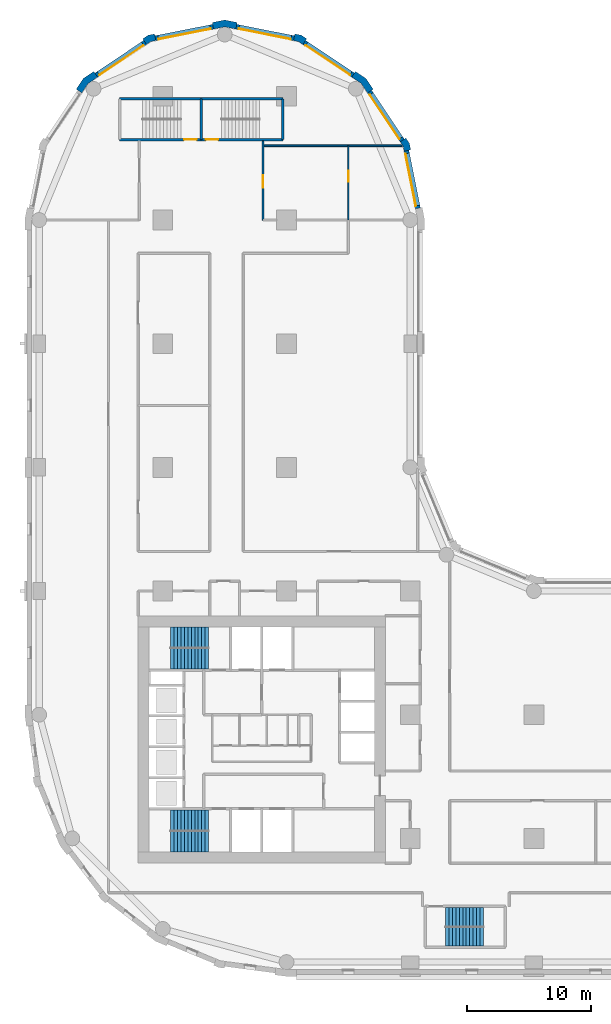
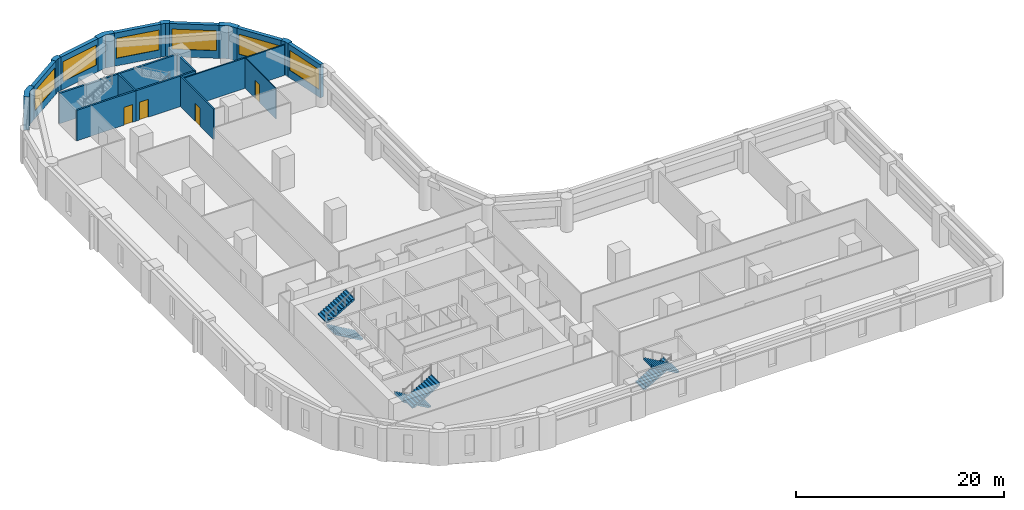
# One storey, part 7 of 10: 21 walls, 6 stair flights, 6 windows, 4 doors, 10 openings, 3 elements without a shape of their own.
"""IFC4 building model written with IfcOpenShell, lengths in metres."""

from ifc_helpers import new_model, si_unit, direction, frame, frame_2d, origin, place, context, subcontext, project, spatial, polyline, rectangle, outline, extrude, material, layer, layer_set, type_object, element, fill, aggregate, save


model = new_model("IFC4")

# Units and contexts
model_context = context("Model", 3, precision=1e-05, world=origin(), true_north=direction((0.0, 1.0)))
body_context = subcontext(model_context, "Body", "Model", "MODEL_VIEW")
ifc_project = project(units=[si_unit("LENGTHUNIT", "METRE"), si_unit("AREAUNIT", "SQUARE_METRE"), si_unit("VOLUMEUNIT", "CUBIC_METRE"), si_unit("PLANEANGLEUNIT", "RADIAN"), si_unit("MASSUNIT", "GRAM", prefix="KILO")], contexts=[model_context])

# Site, building, storey
site_placement = place(None, origin())
site = spatial("IfcSite", under=ifc_project, at=site_placement, CompositionType="ELEMENT")
building_placement = place(site_placement, origin())
building = spatial("IfcBuilding", under=site, at=building_placement, Name="Qaws Garden Tower", CompositionType="ELEMENT")
storey_placement = place(building_placement, frame((0.0, 0.0, 43.199951171875)))
storey = spatial("IfcBuildingStorey", under=building, at=storey_placement, Name="L10", CompositionType="ELEMENT", Elevation=43.199951171875)

# Wall, opening, window
ifc_material_1 = material(Name="Buff clay facing brick masonry", Category="masonry")
ifc_layer_1 = layer(ifc_material_1, 0.39990234375)
ifc_layer_set_1 = layer_set([ifc_layer_1], Name="Buff clay facing brick masonry")
wall_type_1 = type_object("IfcWallType", Name="Buff brick infill wall 400", PredefinedType="SOLIDWALL", material=ifc_layer_set_1)
wall_1_placement = place(storey_placement, frame((30.628662109375, 60.940673828125, 0.0), z_axis=(0.0, 0.0, 1.0), x_axis=(-0.195098533057, 0.98078364709, 0.0)))
wall_1 = element("IfcWall", 1, at=wall_1_placement, inside=storey, type_object=wall_type_1, Name="E-L10-infill-15", PredefinedType="SOLIDWALL", context=body_context, shape_type="SweptSolid", body=[
    extrude(rectangle(XDim=4.752685546875, YDim=0.39990234375, at=frame_2d((2.37646484375, 0.0))), origin(), (0.0, 0.0, 1.0), 3.900146484375),
])
opening_1_placement = place(wall_1_placement, frame((0.226318359375, 0.0, 0.89990234375)))
opening_1 = element("IfcOpeningElement", 2, at=opening_1_placement, cuts=wall_1, Name="Opening W06", PredefinedType="OPENING", context=body_context, shape_type="SweptSolid", body=[
    extrude(rectangle(XDim=4.300048828125, YDim=2.35009765625, at=frame_2d((2.14990234375, 1.175048828125))), frame((0.0, 0.2099609375, 0.0), z_axis=(0.0, -1.0, 0.0), x_axis=(1.0, 0.0, 0.0)), (0.0, 0.0, 1.0), 0.419921875),
])
ifc_material_2 = material(Name="Aluminium framed window, clear glazing", Category="aluminium")
window_type = type_object("IfcWindowType", Name="Ribbon window 4300 x 2350", PartitioningType="DOUBLE_PANEL_VERTICAL", PredefinedType="WINDOW", material=ifc_material_2)
window_1_placement = place(opening_1_placement, origin())
window_1 = element("IfcWindow", 3, at=window_1_placement, inside=storey, type_object=window_type, Name="E-L10-window-15-0", OverallHeight=2.35009765625, OverallWidth=4.300048828125, PartitioningType="SINGLE_PANEL", PredefinedType="WINDOW", context=body_context, shape_type="SweptSolid", body=[
    extrude(rectangle(XDim=4.300048828125, YDim=2.35009765625, at=frame_2d((2.14990234375, 1.175048828125))), frame((0.0, 0.159912109375, 0.0), z_axis=(0.0, -1.0, 0.0), x_axis=(1.0, 0.0, 0.0)), (0.0, 0.0, 1.0), 0.06005859375),
])
fill(opening_1, window_1)

wall_2_placement = place(storey_placement, frame((29.356689453125, 66.43408203125, 0.0), z_axis=(0.0, 0.0, 1.0), x_axis=(-0.555541552266, 0.831488775454, 0.0)))
wall_2 = element("IfcWall", 4, at=wall_2_placement, inside=storey, type_object=wall_type_1, Name="E-L10-infill-16", PredefinedType="SOLIDWALL", context=body_context, shape_type="SweptSolid", body=[
    extrude(rectangle(XDim=4.752685546875, YDim=0.39990234375, at=frame_2d((2.37646484375, 0.0))), origin(), (0.0, 0.0, 1.0), 3.900146484375),
])
opening_2_placement = place(wall_2_placement, frame((0.226318359375, 0.0, 0.89990234375)))
opening_2 = element("IfcOpeningElement", 5, at=opening_2_placement, cuts=wall_2, Name="Opening W06", PredefinedType="OPENING", context=body_context, shape_type="SweptSolid", body=[
    extrude(rectangle(XDim=4.300048828125, YDim=2.35009765625, at=frame_2d((2.14990234375, 1.175048828125))), frame((0.0, 0.2099609375, 0.0), z_axis=(0.0, -1.0, 0.0), x_axis=(1.0, 0.0, 0.0)), (0.0, 0.0, 1.0), 0.419921875),
])
window_2_placement = place(opening_2_placement, origin())
window_2 = element("IfcWindow", 6, at=window_2_placement, inside=storey, type_object=window_type, Name="E-L10-window-16-0", OverallHeight=2.35009765625, OverallWidth=4.300048828125, PartitioningType="SINGLE_PANEL", PredefinedType="WINDOW", context=body_context, shape_type="SweptSolid", body=[
    extrude(rectangle(XDim=4.300048828125, YDim=2.35009765625, at=frame_2d((2.14990234375, 1.175048828125))), frame((0.0, 0.159912109375, 0.0), z_axis=(0.0, -1.0, 0.0), x_axis=(1.0, 0.0, 0.0)), (0.0, 0.0, 1.0), 0.06005859375),
])
fill(opening_2, window_2)

wall_3_placement = place(storey_placement, frame((25.385986328125, 71.71630859375, 0.0), z_axis=(0.0, 0.0, 1.0), x_axis=(-0.831488775454, 0.555541552266, 0.0)))
wall_3 = element("IfcWall", 7, at=wall_3_placement, inside=storey, type_object=wall_type_1, Name="E-L10-infill-17", PredefinedType="SOLIDWALL", context=body_context, shape_type="SweptSolid", body=[
    extrude(rectangle(XDim=4.752685546875, YDim=0.39990234375, at=frame_2d((2.37646484375, 0.0))), origin(), (0.0, 0.0, 1.0), 3.900146484375),
])
opening_3_placement = place(wall_3_placement, frame((0.226318359375, 0.0, 0.89990234375)))
opening_3 = element("IfcOpeningElement", 8, at=opening_3_placement, cuts=wall_3, Name="Opening W06", PredefinedType="OPENING", context=body_context, shape_type="SweptSolid", body=[
    extrude(rectangle(XDim=4.300048828125, YDim=2.35009765625, at=frame_2d((2.14990234375, 1.175048828125))), frame((0.0, 0.2099609375, 0.0), z_axis=(0.0, -1.0, 0.0), x_axis=(1.0, 0.0, 0.0)), (0.0, 0.0, 1.0), 0.419921875),
])
window_3_placement = place(opening_3_placement, origin())
window_3 = element("IfcWindow", 9, at=window_3_placement, inside=storey, type_object=window_type, Name="E-L10-window-17-0", OverallHeight=2.35009765625, OverallWidth=4.300048828125, PartitioningType="SINGLE_PANEL", PredefinedType="WINDOW", context=body_context, shape_type="SweptSolid", body=[
    extrude(rectangle(XDim=4.300048828125, YDim=2.35009765625, at=frame_2d((2.14990234375, 1.175048828125))), frame((0.0, 0.159912109375, 0.0), z_axis=(0.0, -1.0, 0.0), x_axis=(1.0, 0.0, 0.0)), (0.0, 0.0, 1.0), 0.06005859375),
])
fill(opening_3, window_3)

wall_4_placement = place(storey_placement, frame((20.60205078125, 74.701416015625, 0.0), z_axis=(0.0, 0.0, 1.0), x_axis=(-0.98078364709, 0.195098533057, 0.0)))
wall_4 = element("IfcWall", 10, at=wall_4_placement, inside=storey, type_object=wall_type_1, Name="E-L10-infill-18", PredefinedType="SOLIDWALL", context=body_context, shape_type="SweptSolid", body=[
    extrude(rectangle(XDim=4.752685546875, YDim=0.39990234375, at=frame_2d((2.37646484375, 0.0))), origin(), (0.0, 0.0, 1.0), 3.900146484375),
])
opening_4_placement = place(wall_4_placement, frame((0.226318359375, 0.0, 0.89990234375)))
opening_4 = element("IfcOpeningElement", 11, at=opening_4_placement, cuts=wall_4, Name="Opening W06", PredefinedType="OPENING", context=body_context, shape_type="SweptSolid", body=[
    extrude(rectangle(XDim=4.300048828125, YDim=2.35009765625, at=frame_2d((2.14990234375, 1.175048828125))), frame((0.0, 0.2099609375, 0.0), z_axis=(0.0, -1.0, 0.0), x_axis=(1.0, 0.0, 0.0)), (0.0, 0.0, 1.0), 0.419921875),
])
window_4_placement = place(opening_4_placement, origin())
window_4 = element("IfcWindow", 12, at=window_4_placement, inside=storey, type_object=window_type, Name="E-L10-window-18-0", OverallHeight=2.35009765625, OverallWidth=4.300048828125, PartitioningType="SINGLE_PANEL", PredefinedType="WINDOW", context=body_context, shape_type="SweptSolid", body=[
    extrude(rectangle(XDim=4.300048828125, YDim=2.35009765625, at=frame_2d((2.14990234375, 1.175048828125))), frame((0.0, 0.159912109375, 0.0), z_axis=(0.0, -1.0, 0.0), x_axis=(1.0, 0.0, 0.0)), (0.0, 0.0, 1.0), 0.06005859375),
])
fill(opening_4, window_4)

wall_5_placement = place(storey_placement, frame((14.059326171875, 75.628662109375, 0.0), z_axis=(0.0, 0.0, 1.0), x_axis=(-0.98078364709, -0.195098533057, 0.0)))
wall_5 = element("IfcWall", 13, at=wall_5_placement, inside=storey, type_object=wall_type_1, Name="E-L10-infill-19", PredefinedType="SOLIDWALL", context=body_context, shape_type="SweptSolid", body=[
    extrude(rectangle(XDim=4.752685546875, YDim=0.39990234375, at=frame_2d((2.37646484375, 0.0))), origin(), (0.0, 0.0, 1.0), 3.900146484375),
])
opening_5_placement = place(wall_5_placement, frame((0.226318359375, 0.0, 0.89990234375)))
opening_5 = element("IfcOpeningElement", 14, at=opening_5_placement, cuts=wall_5, Name="Opening W06", PredefinedType="OPENING", context=body_context, shape_type="SweptSolid", body=[
    extrude(rectangle(XDim=4.300048828125, YDim=2.35009765625, at=frame_2d((2.14990234375, 1.175048828125))), frame((0.0, 0.2099609375, 0.0), z_axis=(0.0, -1.0, 0.0), x_axis=(1.0, 0.0, 0.0)), (0.0, 0.0, 1.0), 0.419921875),
])
window_5_placement = place(opening_5_placement, origin())
window_5 = element("IfcWindow", 15, at=window_5_placement, inside=storey, type_object=window_type, Name="E-L10-window-19-0", OverallHeight=2.35009765625, OverallWidth=4.300048828125, PartitioningType="SINGLE_PANEL", PredefinedType="WINDOW", context=body_context, shape_type="SweptSolid", body=[
    extrude(rectangle(XDim=4.300048828125, YDim=2.35009765625, at=frame_2d((2.14990234375, 1.175048828125))), frame((0.0, 0.159912109375, 0.0), z_axis=(0.0, -1.0, 0.0), x_axis=(1.0, 0.0, 0.0)), (0.0, 0.0, 1.0), 0.06005859375),
])
fill(opening_5, window_5)

wall_6_placement = place(storey_placement, frame((8.56591796875, 74.356689453125, 0.0), z_axis=(0.0, 0.0, 1.0), x_axis=(-0.831488775454, -0.555541552266, 0.0)))
wall_6 = element("IfcWall", 16, at=wall_6_placement, inside=storey, type_object=wall_type_1, Name="E-L10-infill-20", PredefinedType="SOLIDWALL", context=body_context, shape_type="SweptSolid", body=[
    extrude(rectangle(XDim=4.752685546875, YDim=0.39990234375, at=frame_2d((2.37646484375, 0.0))), origin(), (0.0, 0.0, 1.0), 3.900146484375),
])
opening_6_placement = place(wall_6_placement, frame((0.226318359375, 0.0, 0.89990234375)))
opening_6 = element("IfcOpeningElement", 17, at=opening_6_placement, cuts=wall_6, Name="Opening W06", PredefinedType="OPENING", context=body_context, shape_type="SweptSolid", body=[
    extrude(rectangle(XDim=4.300048828125, YDim=2.35009765625, at=frame_2d((2.14990234375, 1.175048828125))), frame((0.0, 0.2099609375, 0.0), z_axis=(0.0, -1.0, 0.0), x_axis=(1.0, 0.0, 0.0)), (0.0, 0.0, 1.0), 0.419921875),
])
window_6_placement = place(opening_6_placement, origin())
window_6 = element("IfcWindow", 18, at=window_6_placement, inside=storey, type_object=window_type, Name="E-L10-window-20-0", OverallHeight=2.35009765625, OverallWidth=4.300048828125, PartitioningType="SINGLE_PANEL", PredefinedType="WINDOW", context=body_context, shape_type="SweptSolid", body=[
    extrude(rectangle(XDim=4.300048828125, YDim=2.35009765625, at=frame_2d((2.14990234375, 1.175048828125))), frame((0.0, 0.159912109375, 0.0), z_axis=(0.0, -1.0, 0.0), x_axis=(1.0, 0.0, 0.0)), (0.0, 0.0, 1.0), 0.06005859375),
])
fill(opening_6, window_6)

# Walls
ifc_material_3 = material(Name="Buff clay facing brick masonry", Category="masonry")
ifc_layer_2 = layer(ifc_material_3, 0.550048828125)
ifc_layer_set_2 = layer_set([ifc_layer_2], Name="Buff clay facing brick masonry")
wall_type_2 = type_object("IfcWallType", Name="Buff brick kink pier 550 x 600", PredefinedType="SOLIDWALL", material=ifc_layer_set_2)
placement = place(storey_placement, origin())
element("IfcWall", 19, at=placement, inside=storey, type_object=wall_type_2, Name="E-L10-pier-16", PredefinedType="SOLIDWALL", context=body_context, shape_type="SweptSolid", body=[
    extrude(outline(polyline([(29.8974609375, 65.64111328125), (30.044677734375, 65.67041015625), (29.94140625, 66.18896484375), (29.647705078125, 66.628662109375), (29.52294921875, 66.545166015625), (29.1904296875, 66.322998046875), (29.42333984375, 65.974365234375), (29.505126953125, 65.56298828125), (29.8974609375, 65.64111328125)])), origin(), (0.0, 0.0, 1.0), 3.900146484375),
])
element("IfcWall", 20, at=placement, inside=storey, type_object=wall_type_2, Name="E-L10-pier-18", PredefinedType="SOLIDWALL", context=body_context, shape_type="SweptSolid", body=[
    extrude(outline(polyline([(21.545166015625, 74.52294921875), (21.628662109375, 74.647705078125), (21.18896484375, 74.94140625), (20.67041015625, 75.044677734375), (20.64111328125, 74.8974609375), (20.56298828125, 74.505126953125), (20.974365234375, 74.42333984375), (21.322998046875, 74.1904296875), (21.545166015625, 74.52294921875)])), origin(), (0.0, 0.0, 1.0), 3.900146484375),
])
element("IfcWall", 21, at=placement, inside=storey, type_object=wall_type_2, Name="E-L10-pier-20", PredefinedType="SOLIDWALL", context=body_context, shape_type="SweptSolid", body=[
    extrude(outline(polyline([(9.35888671875, 74.8974609375), (9.32958984375, 75.044677734375), (8.81103515625, 74.94140625), (8.371337890625, 74.647705078125), (8.454833984375, 74.52294921875), (8.677001953125, 74.1904296875), (9.025634765625, 74.42333984375), (9.43701171875, 74.505126953125), (9.35888671875, 74.8974609375)])), origin(), (0.0, 0.0, 1.0), 3.900146484375),
])
ifc_material_4 = material(Name="Buff clay facing brick masonry", Category="masonry")
ifc_layer_3 = layer(ifc_material_4, 0.550048828125)
ifc_layer_set_3 = layer_set([ifc_layer_3], Name="Buff clay facing brick masonry")
wall_type_3 = type_object("IfcWallType", Name="Buff brick pier 550 x 1600", PredefinedType="SOLIDWALL", material=ifc_layer_set_3)
element("IfcWall", 22, at=placement, inside=storey, type_object=wall_type_3, Name="E-L10-pier-17", PredefinedType="SOLIDWALL", context=body_context, shape_type="SweptSolid", body=[
    extrude(outline(polyline([(26.882568359375, 70.4970703125), (27.00732421875, 70.580322265625), (26.435791015625, 71.435791015625), (25.580322265625, 72.00732421875), (25.4970703125, 71.882568359375), (25.274658203125, 71.550048828125), (26.0390625, 71.0390625), (26.550048828125, 70.274658203125), (26.882568359375, 70.4970703125)])), origin(), (0.0, 0.0, 1.0), 3.900146484375),
])
element("IfcWall", 23, at=placement, inside=storey, type_object=wall_type_3, Name="E-L10-pier-19", PredefinedType="SOLIDWALL", context=body_context, shape_type="SweptSolid", body=[
    extrude(outline(polyline([(15.979736328125, 75.82470703125), (16.009033203125, 75.971923828125), (15.0, 76.172607421875), (13.990966796875, 75.971923828125), (14.020263671875, 75.82470703125), (14.098388671875, 75.432373046875), (15.0, 75.61181640625), (15.901611328125, 75.432373046875), (15.979736328125, 75.82470703125)])), origin(), (0.0, 0.0, 1.0), 3.900146484375),
])
element("IfcWall", 24, at=placement, inside=storey, type_object=wall_type_3, Name="E-L10-pier-21", PredefinedType="SOLIDWALL", context=body_context, shape_type="SweptSolid", body=[
    extrude(outline(polyline([(4.5029296875, 71.882568359375), (4.419677734375, 72.00732421875), (3.564208984375, 71.435791015625), (2.99267578125, 70.580322265625), (3.117431640625, 70.4970703125), (3.449951171875, 70.274658203125), (3.9609375, 71.0390625), (4.725341796875, 71.550048828125), (4.5029296875, 71.882568359375)])), origin(), (0.0, 0.0, 1.0), 3.900146484375),
])

# Wall, opening, door
ifc_material_5 = material(Name="Concrete C80", Category="concrete")
ifc_layer_4 = layer(ifc_material_5, 0.199951171875)
ifc_layer_set_4 = layer_set([ifc_layer_4], Name="Concrete C80")
wall_type_4 = type_object("IfcWallType", Name="Core shaft wall 200 C80", PredefinedType="SHEAR", material=ifc_layer_set_4)
wall_13_placement = place(storey_placement, frame((6.5, 66.5, 0.0), z_axis=(0.0, 0.0, 1.0), x_axis=(1.0, 0.0, 0.0)))
wall_13 = element("IfcWall", 25, at=wall_13_placement, inside=storey, type_object=wall_type_4, Name="Shaft wall", PredefinedType="SHEAR", context=body_context, shape_type="SweptSolid", body=[
    extrude(rectangle(XDim=6.60009765625, YDim=0.199951171875, at=frame_2d((3.300048828125, 0.0))), origin(), (0.0, 0.0, 1.0), 3.580078125),
])
opening_7_placement = place(wall_13_placement, frame((5.22509765625, 0.0, 0.0)))
opening_7 = element("IfcOpeningElement", 26, at=opening_7_placement, cuts=wall_13, Name="Opening SD13", PredefinedType="OPENING", context=body_context, shape_type="SweptSolid", body=[
    extrude(rectangle(XDim=1.0, YDim=2.10009765625, at=frame_2d((0.5, 1.050048828125))), frame((0.0, 0.10986328125, 0.0), z_axis=(0.0, -1.0, 0.0), x_axis=(1.0, 0.0, 0.0)), (0.0, 0.0, 1.0), 0.219970703125),
])
ifc_material_6 = material(Name="Steel S235", Category="steel")
door_type_1 = type_object("IfcDoorType", Name="Stair door 1000x2100", OperationType="SINGLE_SWING_RIGHT", PredefinedType="DOOR", material=ifc_material_6)
door_1_placement = place(opening_7_placement, origin())
door_1 = element("IfcDoor", 27, at=door_1_placement, inside=storey, type_object=door_type_1, Name="Stair 6 door", OperationType="SINGLE_SWING_RIGHT", OverallHeight=2.10009765625, OverallWidth=1.0, PredefinedType="DOOR", context=body_context, shape_type="SweptSolid", body=[
    extrude(rectangle(XDim=1.0, YDim=2.10009765625, at=frame_2d((0.5, 1.050048828125))), frame((0.0, 0.02490234375, 0.0), z_axis=(0.0, -1.0, 0.0), x_axis=(1.0, 0.0, 0.0)), (0.0, 0.0, 1.0), 0.050048828125),
])
fill(opening_7, door_1)

wall_14_placement = place(storey_placement, frame((13.10009765625, 66.5, 0.0), z_axis=(0.0, 0.0, 1.0), x_axis=(1.0, 0.0, 0.0)))
wall_14 = element("IfcWall", 28, at=wall_14_placement, inside=storey, type_object=wall_type_4, Name="Shaft wall", PredefinedType="SHEAR", context=body_context, shape_type="SweptSolid", body=[
    extrude(rectangle(XDim=6.599853515625, YDim=0.199951171875, at=frame_2d((3.2998046875, 0.0))), origin(), (0.0, 0.0, 1.0), 3.580078125),
])
opening_8_placement = place(wall_14_placement, frame((0.375, 0.0, 0.0)))
opening_8 = element("IfcOpeningElement", 29, at=opening_8_placement, cuts=wall_14, Name="Opening SD14", PredefinedType="OPENING", context=body_context, shape_type="SweptSolid", body=[
    extrude(rectangle(XDim=1.0, YDim=2.10009765625, at=frame_2d((0.5, 1.050048828125))), frame((0.0, 0.10986328125, 0.0), z_axis=(0.0, -1.0, 0.0), x_axis=(1.0, 0.0, 0.0)), (0.0, 0.0, 1.0), 0.219970703125),
])
door_2_placement = place(opening_8_placement, origin())
door_2 = element("IfcDoor", 30, at=door_2_placement, inside=storey, type_object=door_type_1, Name="Stair 7 door", OperationType="SINGLE_SWING_LEFT", OverallHeight=2.10009765625, OverallWidth=1.0, PredefinedType="DOOR", context=body_context, shape_type="SweptSolid", body=[
    extrude(rectangle(XDim=1.0, YDim=2.10009765625, at=frame_2d((0.5, 1.050048828125))), frame((0.0, 0.02490234375, 0.0), z_axis=(0.0, -1.0, 0.0), x_axis=(1.0, 0.0, 0.0)), (0.0, 0.0, 1.0), 0.050048828125),
])
fill(opening_8, door_2)

# Walls
wall_15_placement = place(storey_placement, frame((6.5, 69.800048828125, 0.0), z_axis=(0.0, 0.0, 1.0), x_axis=(1.0, 0.0, 0.0)))
element("IfcWall", 31, at=wall_15_placement, inside=storey, type_object=wall_type_4, Name="Shaft wall", PredefinedType="SHEAR", context=body_context, shape_type="SweptSolid", body=[
    extrude(rectangle(XDim=6.60009765625, YDim=0.199951171875, at=frame_2d((3.300048828125, 0.0))), origin(), (0.0, 0.0, 1.0), 3.580078125),
])
wall_16_placement = place(storey_placement, frame((13.10009765625, 69.800048828125, 0.0), z_axis=(0.0, 0.0, 1.0), x_axis=(1.0, 0.0, 0.0)))
element("IfcWall", 32, at=wall_16_placement, inside=storey, type_object=wall_type_4, Name="Shaft wall", PredefinedType="SHEAR", context=body_context, shape_type="SweptSolid", body=[
    extrude(rectangle(XDim=6.599853515625, YDim=0.199951171875, at=frame_2d((3.2998046875, 0.0))), origin(), (0.0, 0.0, 1.0), 3.580078125),
])
for number, where, z_axis, x_axis, name in (
    (33, (13.10009765625, 66.5, 0.0), (0.0, 0.0, 1.0), (0.0, 1.0, 0.0), "Shaft wall"),
    (34, (19.699951171875, 66.5, 0.0), (0.0, 0.0, 1.0), (0.0, 1.0, 0.0), "Shaft wall"),
):
    element("IfcWall", number, at=place(storey_placement, frame(where, z_axis=z_axis, x_axis=x_axis)), inside=storey, type_object=wall_type_4, Name=name, PredefinedType="SHEAR", context=body_context, shape_type="SweptSolid", body=[
        extrude(rectangle(XDim=3.300048828125, YDim=0.199951171875, at=frame_2d((1.64990234375, 0.0))), origin(), (0.0, 0.0, 1.0), 3.580078125),
    ])

# Wall, opening, door
ifc_material_7 = material(Name="Gypsum board partition")
ifc_layer_5 = layer(ifc_material_7, 0.10009765625)
ifc_layer_set_5 = layer_set([ifc_layer_5], Name="Gypsum board partition")
wall_type_5 = type_object("IfcWallType", Name="PARTITION 100", PredefinedType="PARTITIONING", material=ifc_layer_set_5)
wall_17_placement = place(storey_placement, frame((25.0, 60.0, 0.0), z_axis=(0.0, 0.0, 1.0), x_axis=(0.0, 1.0, 0.0)))
wall_17 = element("IfcWall", 35, at=wall_17_placement, inside=storey, type_object=wall_type_5, Name="O-L10-wall-001", PredefinedType="PARTITIONING", context=body_context, shape_type="SweptSolid", body=[
    extrude(rectangle(XDim=6.0, YDim=0.10009765625, at=frame_2d((3.0, 0.0))), origin(), (0.0, 0.0, 1.0), 3.580078125),
])
opening_9_placement = place(wall_17_placement, frame((3.10009765625, 0.0, 0.0)))
opening_9 = element("IfcOpeningElement", 36, at=opening_9_placement, cuts=wall_17, Name="Opening A320", PredefinedType="OPENING", context=body_context, shape_type="SweptSolid", body=[
    extrude(rectangle(XDim=0.89990234375, YDim=2.10009765625, at=frame_2d((0.449951171875, 1.050048828125))), frame((0.0, 0.06005859375, 0.0), z_axis=(0.0, -1.0, 0.0), x_axis=(1.0, 0.0, 0.0)), (0.0, 0.0, 1.0), 0.1201171875),
])
ifc_material_8 = material(Name="Timber door leaf", Category="wood")
door_type_2 = type_object("IfcDoorType", Name="OFFICE DOOR 900 X 2100", OperationType="SINGLE_SWING_LEFT", PredefinedType="DOOR", material=ifc_material_8)
door_3_placement = place(opening_9_placement, frame((0.89990234375, 0.0, 0.0), z_axis=(0.0, 0.0, 1.0), x_axis=(-1.0, 0.0, 0.0)))
door_3 = element("IfcDoor", 37, at=door_3_placement, inside=storey, type_object=door_type_2, Name="O-L10-door-020", OperationType="SINGLE_SWING_RIGHT", OverallHeight=2.10009765625, OverallWidth=0.89990234375, PredefinedType="DOOR", context=body_context, shape_type="SweptSolid", body=[
    extrude(rectangle(XDim=0.89990234375, YDim=2.10009765625, at=frame_2d((0.449951171875, 1.050048828125))), frame((0.0, 0.02490234375, 0.0), z_axis=(0.0, -1.0, 0.0), x_axis=(1.0, 0.0, 0.0)), (0.0, 0.0, 1.0), 0.050048828125),
])
fill(opening_9, door_3)

ifc_material_9 = material(Name="Gypsum board partition")
ifc_layer_6 = layer(ifc_material_9, 0.14990234375)
ifc_layer_set_6 = layer_set([ifc_layer_6], Name="Gypsum board partition")
wall_type_6 = type_object("IfcWallType", Name="PARTITION 150 EI 60", PredefinedType="PARTITIONING", material=ifc_layer_set_6)
wall_18_placement = place(storey_placement, frame((18.10009765625, 60.0, 0.0), z_axis=(0.0, 0.0, 1.0), x_axis=(0.0, 1.0, 0.0)))
wall_18 = element("IfcWall", 38, at=wall_18_placement, inside=storey, type_object=wall_type_6, Name="O-L10-wall-010", PredefinedType="PARTITIONING", context=body_context, shape_type="SweptSolid", body=[
    extrude(rectangle(XDim=6.39990234375, YDim=0.14990234375, at=frame_2d((3.199951171875, 0.0))), origin(), (0.0, 0.0, 1.0), 3.580078125),
])
opening_10_placement = place(wall_18_placement, frame((2.60009765625, 0.0, 0.0)))
opening_10 = element("IfcOpeningElement", 39, at=opening_10_placement, cuts=wall_18, Name="Opening A310", PredefinedType="OPENING", context=body_context, shape_type="SweptSolid", body=[
    extrude(rectangle(XDim=1.0, YDim=2.10009765625, at=frame_2d((0.5, 1.050048828125))), frame((0.0, 0.0849609375, 0.0), z_axis=(0.0, -1.0, 0.0), x_axis=(1.0, 0.0, 0.0)), (0.0, 0.0, 1.0), 0.169921875),
])
ifc_material_10 = material(Name="Timber door leaf", Category="wood")
door_type_3 = type_object("IfcDoorType", Name="TENANCY ENTRANCE DOOR 1000 X 2100", OperationType="SINGLE_SWING_LEFT", PredefinedType="DOOR", material=ifc_material_10)
door_4_placement = place(opening_10_placement, frame((1.0, 0.0, 0.0), z_axis=(0.0, 0.0, 1.0), x_axis=(-1.0, 0.0, 0.0)))
door_4 = element("IfcDoor", 40, at=door_4_placement, inside=storey, type_object=door_type_3, Name="O-L10-door-010", OperationType="SINGLE_SWING_RIGHT", OverallHeight=2.10009765625, OverallWidth=1.0, PredefinedType="DOOR", context=body_context, shape_type="SweptSolid", body=[
    extrude(rectangle(XDim=1.0, YDim=2.10009765625, at=frame_2d((0.5, 1.050048828125))), frame((0.0, 0.02490234375, 0.0), z_axis=(0.0, -1.0, 0.0), x_axis=(1.0, 0.0, 0.0)), (0.0, 0.0, 1.0), 0.050048828125),
])
fill(opening_10, door_4)

# Wall
wall_19_placement = place(storey_placement, frame((18.10009765625, 66.0, 0.0), z_axis=(0.0, 0.0, 1.0), x_axis=(1.0, 0.0, 0.0)))
element("IfcWall", 41, at=wall_19_placement, inside=storey, type_object=wall_type_6, Name="O-L10-wall-055", PredefinedType="PARTITIONING", context=body_context, shape_type="SweptSolid", body=[
    extrude(rectangle(XDim=11.256103515625, YDim=0.14990234375, at=frame_2d((5.6279296875, 0.0))), origin(), (0.0, 0.0, 1.0), 3.580078125),
])

# Stair, stair flights
ifc_material_11 = material(Name="Concrete C40", Category="concrete")
stair_type_1 = type_object("IfcStairType", Name="Exit stair 1350", PredefinedType="HALF_TURN_STAIR", material=ifc_material_11)
stair_1 = element("IfcStair", 42, at=placement, inside=storey, type_object=stair_type_1, Name="Stair 5", PredefinedType="HALF_TURN_STAIR")
ifc_material_12 = material(Name="Concrete C40", Category="concrete")
stair_flight_type_1 = type_object("IfcStairFlightType", Name="Stair flight 1350", PredefinedType="STRAIGHT", material=ifc_material_12)
stair_flight_1_placement = place(storey_placement, frame((32.85009765625, 3.625, 0.0), z_axis=(0.0, 0.0, 1.0), x_axis=(1.0, 0.0, 0.0)))
stair_flight_1 = element("IfcStairFlight", 43, at=stair_flight_1_placement, type_object=stair_flight_type_1, Name="ST5 flight 1", NumberOfRisers=12, NumberOfTreads=11, PredefinedType="STRAIGHT", RiserHeight=0.1625, TreadLength=0.28, context=body_context, shape_type="SweptSolid", body=[
    extrude(outline(polyline([(-0.0029296875, 0.0), (-0.0029296875, 0.16259765625), (0.0, 0.16259765625), (0.280029296875, 0.16259765625), (0.280029296875, 0.324951171875), (0.56005859375, 0.324951171875), (0.56005859375, 0.487548828125), (0.840087890625, 0.487548828125), (0.840087890625, 0.64990234375), (1.1201171875, 0.64990234375), (1.1201171875, 0.8125), (1.39990234375, 0.8125), (1.39990234375, 0.97509765625), (1.679931640625, 0.97509765625), (1.679931640625, 1.137451171875), (1.9599609375, 1.137451171875), (1.9599609375, 1.300048828125), (2.239990234375, 1.300048828125), (2.239990234375, 1.46240234375), (2.52001953125, 1.46240234375), (2.52001953125, 1.625), (2.800048828125, 1.625), (2.800048828125, 1.78759765625), (3.080078125, 1.78759765625), (3.080078125, 1.949951171875), (3.0830078125, 1.949951171875), (3.0830078125, 1.6142578125), (3.080078125, 1.6142578125), (0.298583984375, 0.0), (-0.0029296875, 0.0)])), frame((0.0, 0.77490234375, 0.0), z_axis=(0.0, -1.0, 0.0), x_axis=(1.0, 0.0, 0.0)), (0.0, 0.0, 1.0), 1.550048828125),
])
stair_flight_2_placement = place(storey_placement, frame((35.929931640625, 2.074951171875, 1.949951171875), z_axis=(0.0, 0.0, 1.0), x_axis=(-1.0, 0.0, 0.0)))
stair_flight_2 = element("IfcStairFlight", 44, at=stair_flight_2_placement, type_object=stair_flight_type_1, Name="ST5 flight 2", NumberOfRisers=12, NumberOfTreads=11, PredefinedType="STRAIGHT", RiserHeight=0.1625, TreadLength=0.28, context=body_context, shape_type="SweptSolid", body=[
    extrude(outline(polyline([(-0.0029296875, 0.0), (-0.0029296875, 0.16259765625), (0.0, 0.16259765625), (0.280029296875, 0.16259765625), (0.280029296875, 0.324951171875), (0.56005859375, 0.324951171875), (0.56005859375, 0.487548828125), (0.840087890625, 0.487548828125), (0.840087890625, 0.64990234375), (1.1201171875, 0.64990234375), (1.1201171875, 0.8125), (1.39990234375, 0.8125), (1.39990234375, 0.97509765625), (1.679931640625, 0.97509765625), (1.679931640625, 1.137451171875), (1.9599609375, 1.137451171875), (1.9599609375, 1.300048828125), (2.239990234375, 1.300048828125), (2.239990234375, 1.46240234375), (2.52001953125, 1.46240234375), (2.52001953125, 1.625), (2.800048828125, 1.625), (2.800048828125, 1.78759765625), (3.080078125, 1.78759765625), (3.080078125, 1.949951171875), (3.0830078125, 1.949951171875), (3.0830078125, 1.6142578125), (3.080078125, 1.6142578125), (0.298583984375, 0.0), (-0.0029296875, 0.0)])), frame((0.0, 0.77490234375, 0.0), z_axis=(0.0, -1.0, 0.0), x_axis=(1.0, 0.0, 0.0)), (0.0, 0.0, 1.0), 1.550048828125),
])
aggregate(stair_1, [stair_flight_1, stair_flight_2])

ifc_material_13 = material(Name="Concrete C40", Category="concrete")
stair_type_2 = type_object("IfcStairType", Name="Exit stair 1500", PredefinedType="HALF_TURN_STAIR", material=ifc_material_13)
stair_2 = element("IfcStair", 45, at=placement, inside=storey, type_object=stair_type_2, Name="Stair 1", PredefinedType="HALF_TURN_STAIR")
ifc_material_14 = material(Name="Concrete C40", Category="concrete")
stair_flight_type_2 = type_object("IfcStairFlightType", Name="Stair flight 1500", PredefinedType="STRAIGHT", material=ifc_material_14)
stair_flight_3_placement = place(storey_placement, frame((13.699951171875, 11.449951171875, 0.0), z_axis=(0.0, 0.0, 1.0), x_axis=(-1.0, 0.0, 0.0)))
stair_flight_3 = element("IfcStairFlight", 46, at=stair_flight_3_placement, type_object=stair_flight_type_2, Name="ST1 flight 1", NumberOfRisers=12, NumberOfTreads=11, PredefinedType="STRAIGHT", RiserHeight=0.1625, TreadLength=0.28, context=body_context, shape_type="SweptSolid", body=[
    extrude(outline(polyline([(-0.0029296875, 0.0), (-0.0029296875, 0.16259765625), (0.0, 0.16259765625), (0.280029296875, 0.16259765625), (0.280029296875, 0.324951171875), (0.56005859375, 0.324951171875), (0.56005859375, 0.487548828125), (0.840087890625, 0.487548828125), (0.840087890625, 0.64990234375), (1.1201171875, 0.64990234375), (1.1201171875, 0.8125), (1.39990234375, 0.8125), (1.39990234375, 0.97509765625), (1.679931640625, 0.97509765625), (1.679931640625, 1.137451171875), (1.9599609375, 1.137451171875), (1.9599609375, 1.300048828125), (2.239990234375, 1.300048828125), (2.239990234375, 1.46240234375), (2.52001953125, 1.46240234375), (2.52001953125, 1.625), (2.800048828125, 1.625), (2.800048828125, 1.78759765625), (3.080078125, 1.78759765625), (3.080078125, 1.949951171875), (3.0830078125, 1.949951171875), (3.0830078125, 1.6142578125), (3.080078125, 1.6142578125), (0.298583984375, 0.0), (-0.0029296875, 0.0)])), frame((0.0, 0.85009765625, 0.0), z_axis=(0.0, -1.0, 0.0), x_axis=(1.0, 0.0, 0.0)), (0.0, 0.0, 1.0), 1.699951171875),
])
stair_flight_4_placement = place(storey_placement, frame((10.6201171875, 9.75, 1.949951171875), z_axis=(0.0, 0.0, 1.0), x_axis=(1.0, 0.0, 0.0)))
stair_flight_4 = element("IfcStairFlight", 47, at=stair_flight_4_placement, type_object=stair_flight_type_2, Name="ST1 flight 2", NumberOfRisers=12, NumberOfTreads=11, PredefinedType="STRAIGHT", RiserHeight=0.1625, TreadLength=0.28, context=body_context, shape_type="SweptSolid", body=[
    extrude(outline(polyline([(-0.0029296875, 0.0), (-0.0029296875, 0.16259765625), (0.0, 0.16259765625), (0.280029296875, 0.16259765625), (0.280029296875, 0.324951171875), (0.56005859375, 0.324951171875), (0.56005859375, 0.487548828125), (0.840087890625, 0.487548828125), (0.840087890625, 0.64990234375), (1.1201171875, 0.64990234375), (1.1201171875, 0.8125), (1.39990234375, 0.8125), (1.39990234375, 0.97509765625), (1.679931640625, 0.97509765625), (1.679931640625, 1.137451171875), (1.9599609375, 1.137451171875), (1.9599609375, 1.300048828125), (2.239990234375, 1.300048828125), (2.239990234375, 1.46240234375), (2.52001953125, 1.46240234375), (2.52001953125, 1.625), (2.800048828125, 1.625), (2.800048828125, 1.78759765625), (3.080078125, 1.78759765625), (3.080078125, 1.949951171875), (3.0830078125, 1.949951171875), (3.0830078125, 1.6142578125), (3.080078125, 1.6142578125), (0.298583984375, 0.0), (-0.0029296875, 0.0)])), frame((0.0, 0.85009765625, 0.0), z_axis=(0.0, -1.0, 0.0), x_axis=(1.0, 0.0, 0.0)), (0.0, 0.0, 1.0), 1.699951171875),
])
aggregate(stair_2, [stair_flight_3, stair_flight_4])

stair_3 = element("IfcStair", 48, at=placement, inside=storey, type_object=stair_type_2, Name="Stair 4", PredefinedType="HALF_TURN_STAIR")
stair_flight_5_placement = place(storey_placement, frame((13.699951171875, 24.550048828125, 0.0), z_axis=(0.0, 0.0, 1.0), x_axis=(-1.0, 0.0, 0.0)))
stair_flight_5 = element("IfcStairFlight", 49, at=stair_flight_5_placement, type_object=stair_flight_type_2, Name="ST4 flight 1", NumberOfRisers=12, NumberOfTreads=11, PredefinedType="STRAIGHT", RiserHeight=0.1625, TreadLength=0.28, context=body_context, shape_type="SweptSolid", body=[
    extrude(outline(polyline([(-0.0029296875, 0.0), (-0.0029296875, 0.16259765625), (0.0, 0.16259765625), (0.280029296875, 0.16259765625), (0.280029296875, 0.324951171875), (0.56005859375, 0.324951171875), (0.56005859375, 0.487548828125), (0.840087890625, 0.487548828125), (0.840087890625, 0.64990234375), (1.1201171875, 0.64990234375), (1.1201171875, 0.8125), (1.39990234375, 0.8125), (1.39990234375, 0.97509765625), (1.679931640625, 0.97509765625), (1.679931640625, 1.137451171875), (1.9599609375, 1.137451171875), (1.9599609375, 1.300048828125), (2.239990234375, 1.300048828125), (2.239990234375, 1.46240234375), (2.52001953125, 1.46240234375), (2.52001953125, 1.625), (2.800048828125, 1.625), (2.800048828125, 1.78759765625), (3.080078125, 1.78759765625), (3.080078125, 1.949951171875), (3.0830078125, 1.949951171875), (3.0830078125, 1.6142578125), (3.080078125, 1.6142578125), (0.298583984375, 0.0), (-0.0029296875, 0.0)])), frame((0.0, 0.844970703125, 0.0), z_axis=(0.0, -1.0, 0.0), x_axis=(1.0, 0.0, 0.0)), (0.0, 0.0, 1.0), 1.68994140625),
])
stair_flight_6_placement = place(storey_placement, frame((10.6201171875, 26.25, 1.949951171875), z_axis=(0.0, 0.0, 1.0), x_axis=(1.0, 0.0, 0.0)))
stair_flight_6 = element("IfcStairFlight", 50, at=stair_flight_6_placement, type_object=stair_flight_type_2, Name="ST4 flight 2", NumberOfRisers=12, NumberOfTreads=11, PredefinedType="STRAIGHT", RiserHeight=0.1625, TreadLength=0.28, context=body_context, shape_type="SweptSolid", body=[
    extrude(outline(polyline([(-0.0029296875, 0.0), (-0.0029296875, 0.16259765625), (0.0, 0.16259765625), (0.280029296875, 0.16259765625), (0.280029296875, 0.324951171875), (0.56005859375, 0.324951171875), (0.56005859375, 0.487548828125), (0.840087890625, 0.487548828125), (0.840087890625, 0.64990234375), (1.1201171875, 0.64990234375), (1.1201171875, 0.8125), (1.39990234375, 0.8125), (1.39990234375, 0.97509765625), (1.679931640625, 0.97509765625), (1.679931640625, 1.137451171875), (1.9599609375, 1.137451171875), (1.9599609375, 1.300048828125), (2.239990234375, 1.300048828125), (2.239990234375, 1.46240234375), (2.52001953125, 1.46240234375), (2.52001953125, 1.625), (2.800048828125, 1.625), (2.800048828125, 1.78759765625), (3.080078125, 1.78759765625), (3.080078125, 1.949951171875), (3.0830078125, 1.949951171875), (3.0830078125, 1.6142578125), (3.080078125, 1.6142578125), (0.298583984375, 0.0), (-0.0029296875, 0.0)])), frame((0.0, 0.844970703125, 0.0), z_axis=(0.0, -1.0, 0.0), x_axis=(1.0, 0.0, 0.0)), (0.0, 0.0, 1.0), 1.68994140625),
])
aggregate(stair_3, [stair_flight_5, stair_flight_6])

save(model, "model.ifc")
